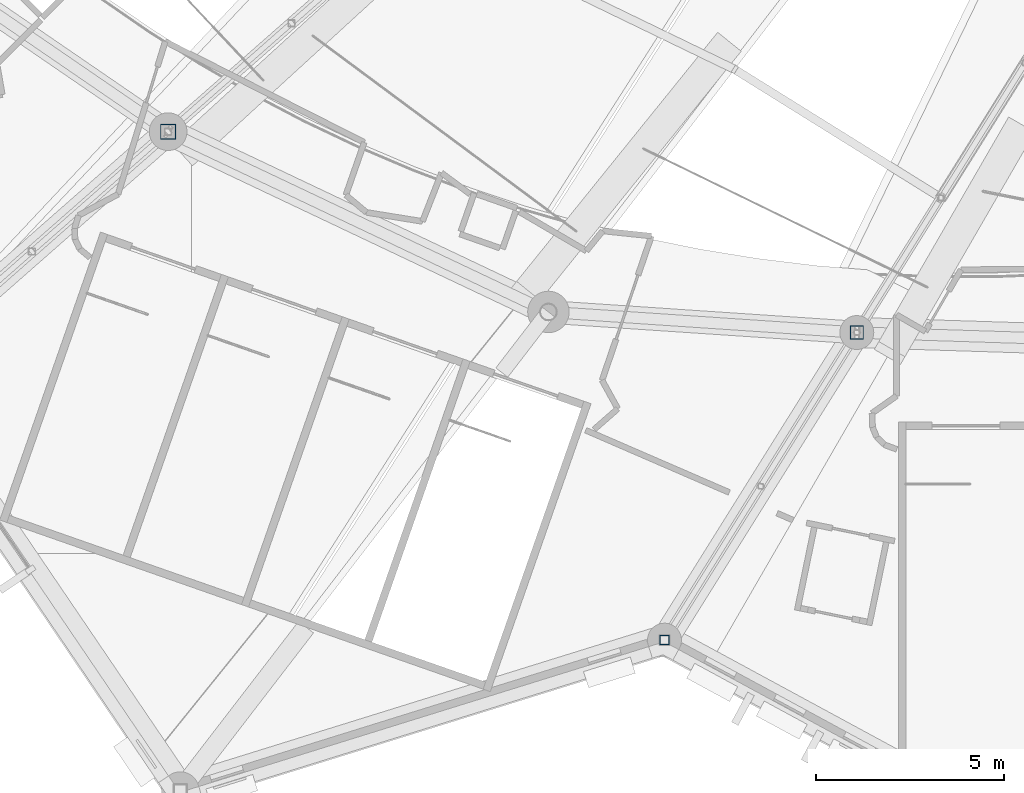
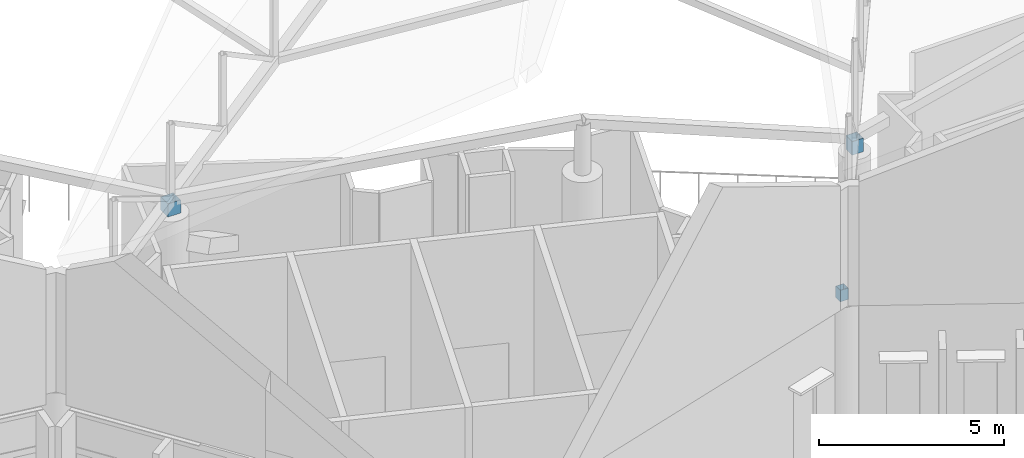
# One storey, part 207 of 344: 3 members.
"""IFC4 building model written with IfcOpenShell, lengths in metres."""

from ifc_helpers import new_model, si_unit, direction, frame, origin, origin_2d, place, context, subcontext, project, spatial, hollow_rectangle, extrude, material, material_profile, profile_set, type_object, element, save


model = new_model("IFC4")

# Units and contexts
model_context = context("Model", 3, precision=1e-05, world=origin(), true_north=direction((0.0, 1.0)))
body_context = subcontext(model_context, "Body", "Model", "MODEL_VIEW")
ifc_project = project(units=[si_unit("LENGTHUNIT", "METRE"), si_unit("AREAUNIT", "SQUARE_METRE"), si_unit("VOLUMEUNIT", "CUBIC_METRE"), si_unit("PLANEANGLEUNIT", "RADIAN"), si_unit("MASSUNIT", "GRAM", prefix="KILO")], contexts=[model_context])

# Site, building, storey
site_placement = place(None, origin())
site = spatial("IfcSite", under=ifc_project, at=site_placement, CompositionType="ELEMENT")
building_placement = place(site_placement, origin())
building = spatial("IfcBuilding", under=site, at=building_placement, Name="Meseta Stadium", CompositionType="ELEMENT")
storey_placement = place(building_placement, frame((0.0, 0.0, 24.0)))
storey = spatial("IfcBuildingStorey", under=building, at=storey_placement, Name="L04", CompositionType="ELEMENT", Elevation=24.0)

# Members
ifc_material_1 = material(Name="Steel S355", Category="steel")
ifc_material_profile_1 = material_profile(ifc_material_1, hollow_rectangle(XDim=0.25, YDim=0.25, WallThickness=0.010009765625, at=origin_2d()), Name="SHS 250x250x10")
ifc_profile_set_1 = profile_set([ifc_material_profile_1], Name="Steel S355")
member_type_1 = type_object("IfcMemberType", Name="SHS 250x250x10 rim post", PredefinedType="POST", material=ifc_profile_set_1)
member_1_placement = place(storey_placement, frame((-51.44140625, -98.29443359375, 6.0), z_axis=(0.0, 0.0, 1.0), x_axis=(1.0, 0.0, 0.0)))
element("IfcMember", 1, at=member_1_placement, inside=storey, type_object=member_type_1, Name="ROOF RIM POST RT-43", PredefinedType="POST", context=body_context, shape_type="SweptSolid", body=[
    extrude(hollow_rectangle(XDim=0.25, YDim=0.25, WallThickness=0.010009765625, at=origin_2d()), origin(), (0.0, 0.0, 1.0), 0.377685546875),
])
ifc_material_2 = material(Name="Steel S355", Category="steel")
ifc_material_profile_2 = material_profile(ifc_material_2, hollow_rectangle(XDim=0.35009765625, YDim=0.35009765625, WallThickness=0.010009765625, at=origin_2d()), Name="SHS 350x350x10")
ifc_profile_set_2 = profile_set([ifc_material_profile_2], Name="Steel S355")
member_type_2 = type_object("IfcMemberType", Name="SHS 350x350x10 pedestal", PredefinedType="POST", material=ifc_profile_set_2)
member_2_placement = place(storey_placement, frame((-46.333251953125, -90.126220703125, 4.14990234375), z_axis=(0.0, 0.0, 1.0), x_axis=(1.0, 0.0, 0.0)))
element("IfcMember", 2, at=member_2_placement, inside=storey, type_object=member_type_2, Name="ROOF TRUSS RT-43 pedestal", PredefinedType="POST", context=body_context, shape_type="SweptSolid", body=[
    extrude(hollow_rectangle(XDim=0.35009765625, YDim=0.35009765625, WallThickness=0.010009765625, at=origin_2d()), origin(), (0.0, 0.0, 1.0), 0.448486328125),
])
ifc_material_3 = material(Name="Steel S355", Category="steel")
ifc_material_profile_3 = material_profile(ifc_material_3, hollow_rectangle(XDim=0.39990234375, YDim=0.39990234375, WallThickness=0.010009765625, at=origin_2d()), Name="SHS 400x400x10")
ifc_profile_set_3 = profile_set([ifc_material_profile_3], Name="Steel S355")
member_type_3 = type_object("IfcMemberType", Name="SHS 400x400x10 pedestal", PredefinedType="POST", material=ifc_profile_set_3)
member_3_placement = place(storey_placement, frame((-64.6220703125, -84.79248046875, 5.300048828125), z_axis=(0.0, 0.0, 1.0), x_axis=(1.0, 0.0, 0.0)))
element("IfcMember", 3, at=member_3_placement, inside=storey, type_object=member_type_3, Name="ROOF TRUSS RT-41 pedestal", PredefinedType="POST", context=body_context, shape_type="SweptSolid", body=[
    extrude(hollow_rectangle(XDim=0.39990234375, YDim=0.39990234375, WallThickness=0.010009765625, at=origin_2d()), origin(), (0.0, 0.0, 1.0), 0.43408203125),
])

save(model, "model.ifc")
